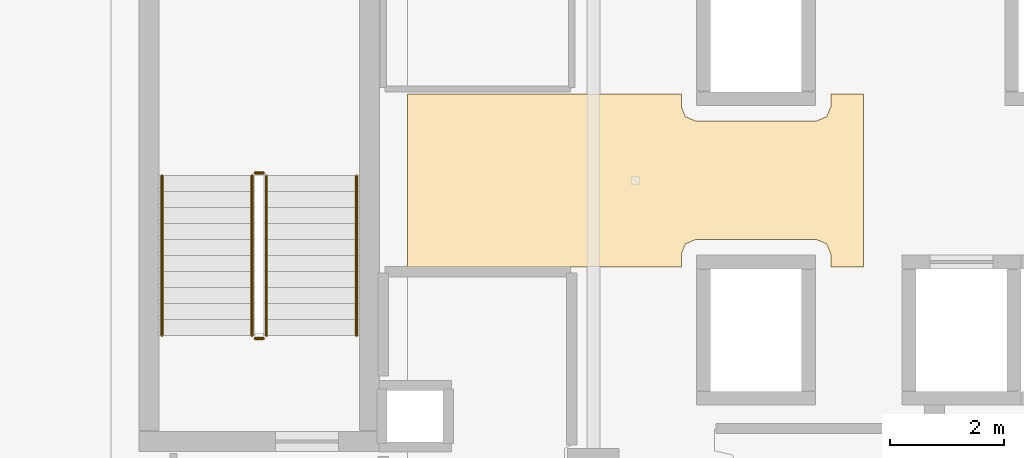
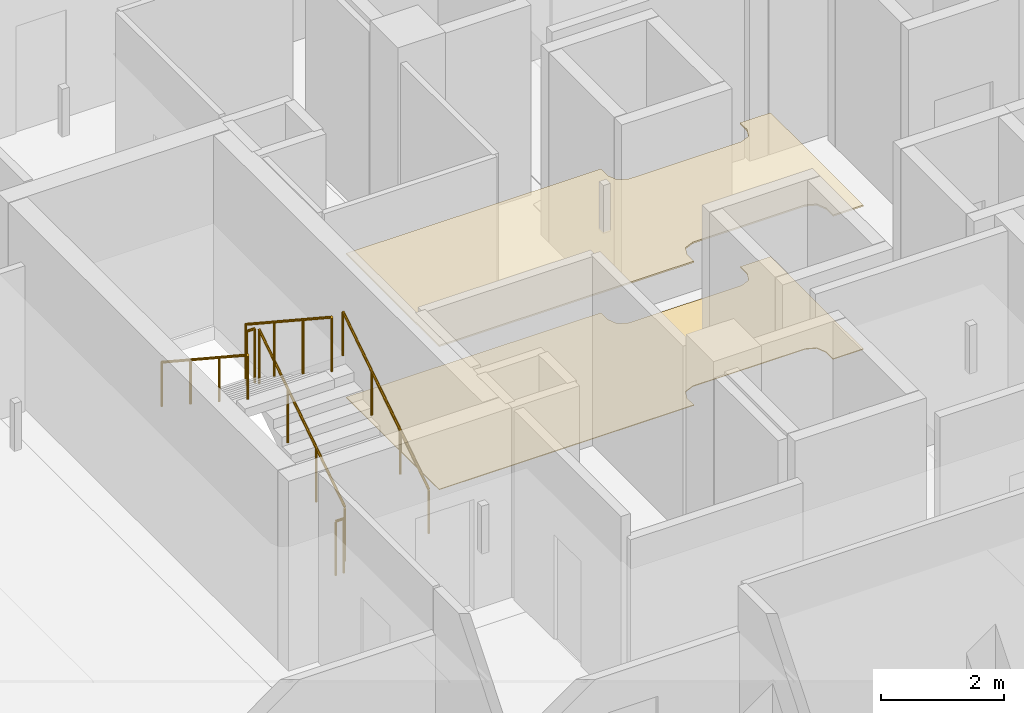
# One storey, part 32 of 36: 6 railings, 2 coverings.
"""IFC4 building model written with IfcOpenShell, lengths in metres."""

import ifcopenshell
import ifcopenshell.guid

model = None  # the IFC model being written
_history = None  # IfcOwnerHistory: only IFC2X3 demands one
_inside = {}  # id of a spatial element -> (the spatial element, [elements in it])
_under = {}  # id of a project, library or spatial element -> (it, [spatial elements below it])
_declared = {}  # id of a project -> (the project, [libraries it declares])
_typed = {}  # id of a type object -> (the type object, [elements of that type])
_made_of = {}  # id of a material, layer set ... -> (it, [elements and type objects made of it])


def new_model(schema):
    """Start an empty IFC model of exactly this schema.

    Asked for "IFC4X3", IfcOpenShell would pick the latest addendum, in which some entities
    have other attributes; the version numbers below select the first issue.
    IFC2X3 requires an IfcOwnerHistory on every rooted entity: one is made here for all.
    """
    global model, _history
    if schema == "IFC4X3":
        model = ifcopenshell.file(schema_version=(4, 3, 0, 0))
    else:
        model = ifcopenshell.file(schema=schema)
    _inside.clear()
    _under.clear()
    _declared.clear()
    _typed.clear()
    _made_of.clear()
    _history = None
    if model.schema == "IFC2X3":
        org = make("IfcOrganization", Name="unknown")
        user = make(
            "IfcPersonAndOrganization",
            ThePerson=make("IfcPerson", FamilyName="unknown"),
            TheOrganization=org,
        )
        app = make(
            "IfcApplication",
            ApplicationDeveloper=org,
            Version="unknown",
            ApplicationFullName="unknown",
            ApplicationIdentifier="unknown",
        )
        _history = make(
            "IfcOwnerHistory",
            OwningUser=user,
            OwningApplication=app,
            ChangeAction="ADDED",
            CreationDate=0,
        )
    return model


def make(cls, **values):
    """One entity of the class cls with the attributes given. An attribute that is None is left unset."""
    return model.create_entity(
        cls, **{name: value for name, value in values.items() if value is not None}
    )


def rooted(cls, **values):
    """An entity with a GlobalId (a new one), such as an element, a storey or a relation."""
    return make(cls, GlobalId=ifcopenshell.guid.new(), OwnerHistory=_history, **values)


def si_unit(unit_type, name, prefix=None):
    """IfcSIUnit, for example si_unit("LENGTHUNIT", "METRE", prefix="MILLI")."""
    return make("IfcSIUnit", UnitType=unit_type, Prefix=prefix, Name=name)


def assignment(units):
    """IfcUnitAssignment: the units of a project."""
    return None if units is None else make("IfcUnitAssignment", Units=units)


def point(xyz):
    """IfcCartesianPoint."""
    return None if xyz is None else make("IfcCartesianPoint", Coordinates=xyz)


def direction(xyz):
    """IfcDirection."""
    return None if xyz is None else make("IfcDirection", DirectionRatios=xyz)


def frame(location, z_axis=None, x_axis=None):
    """IfcAxis2Placement3D, a coordinate frame: its origin and axes. An axis left out is left unset."""
    return make(
        "IfcAxis2Placement3D",
        Location=point(location),
        Axis=direction(z_axis),
        RefDirection=direction(x_axis),
    )


def frame_2d(location, x_axis=None):
    """IfcAxis2Placement2D, a coordinate frame in the plane: its origin and x axis."""
    return make(
        "IfcAxis2Placement2D", Location=point(location), RefDirection=direction(x_axis)
    )


def origin():
    """The frame at (0, 0, 0) with its axes left unset."""
    return frame((0.0, 0.0, 0.0))


def origin_2d():
    """The frame at (0, 0) in the plane with its x axis left unset."""
    return frame_2d((0.0, 0.0))


def place(relative_to, where):
    """IfcLocalPlacement: puts the frame where relative to a parent placement (None: the world)."""
    return make(
        "IfcLocalPlacement", PlacementRelTo=relative_to, RelativePlacement=where
    )


def context(
    kind, dimensions, precision=None, world=None, true_north=None, identifier=None
):
    """IfcGeometricRepresentationContext, for example the 3D "Model" context."""
    return make(
        "IfcGeometricRepresentationContext",
        ContextIdentifier=identifier,
        ContextType=kind,
        CoordinateSpaceDimension=dimensions,
        Precision=precision,
        WorldCoordinateSystem=world,
        TrueNorth=true_north,
    )


def subcontext(parent, identifier, kind, view, scale=None):
    """IfcGeometricRepresentationSubContext, for example "Body" below "Model"."""
    return make(
        "IfcGeometricRepresentationSubContext",
        ContextIdentifier=identifier,
        ContextType=kind,
        ParentContext=parent,
        TargetScale=scale,
        TargetView=view,
    )


def project(units=None, contexts=None):
    """IfcProject with its units and contexts."""
    return rooted(
        "IfcProject",
        Name="project",
        RepresentationContexts=contexts,
        UnitsInContext=assignment(units),
    )


def spatial(cls, under=None, at=None, **own):
    """A site, building, storey or space (cls), placed at a placement, below another one or the project."""
    s = rooted(cls, ObjectPlacement=at, **own)
    if under is not None:
        _under.setdefault(under.id(), (under, []))[1].append(s)
    return s


def polyline(points):
    """IfcPolyline through the points."""
    return make("IfcPolyline", Points=[point(p) for p in points])


def profile(cls, at=None, kind="AREA", **sizes):
    """A parametric profile (cls). Its sizes go by their IFC names, for example OverallWidth=200.0."""
    return make(cls, ProfileType=kind, Position=at, **sizes)


def circle(**sizes):
    """IfcCircleProfileDef."""
    return profile("IfcCircleProfileDef", **sizes)


def outline(outer, holes=None, kind="AREA"):
    """IfcArbitraryClosedProfileDef: a profile drawn as a closed curve; with holes, ...WithVoids."""
    if holes is None:
        return make("IfcArbitraryClosedProfileDef", ProfileType=kind, OuterCurve=outer)
    return make(
        "IfcArbitraryProfileDefWithVoids",
        ProfileType=kind,
        OuterCurve=outer,
        InnerCurves=holes,
    )


def extrude(swept, where, along, depth):
    """IfcExtrudedAreaSolid: the profile swept, set in the frame where, extruded along a direction by depth."""
    return make(
        "IfcExtrudedAreaSolid",
        SweptArea=swept,
        Position=where,
        ExtrudedDirection=direction(along),
        Depth=depth,
    )


def shape(context_of_items, identifier, shape_type, items):
    """IfcShapeRepresentation: the items that make up one representation, for example the "Body"."""
    return make(
        "IfcShapeRepresentation",
        ContextOfItems=context_of_items,
        RepresentationIdentifier=identifier,
        RepresentationType=shape_type,
        Items=items,
    )


def material(Name=None, Category=None):
    """IfcMaterial."""
    return make("IfcMaterial", Name=Name, Category=Category)


def layer(
    of_material, thickness, ventilated=None, Name=None, Category=None, Priority=None
):
    """IfcMaterialLayer: one layer of a wall or slab, of a material (None: an air gap)."""
    return make(
        "IfcMaterialLayer",
        Material=of_material,
        LayerThickness=thickness,
        IsVentilated=ventilated,
        Name=Name,
        Category=Category,
        Priority=Priority,
    )


def layer_set(layers, Name=None):
    """IfcMaterialLayerSet."""
    return make("IfcMaterialLayerSet", MaterialLayers=layers, LayerSetName=Name)


def made_of(thing, what):
    """Note that an element or type object is made of a material, layer set ...; save() writes the relation."""
    if what is not None:
        _made_of.setdefault(what.id(), (what, []))[1].append(thing)
    return thing


def type_object(cls, material=None, **own):
    """A type object (cls), such as IfcWallType, which elements share."""
    return made_of(rooted(cls, **own), material)


def element(
    cls,
    number,
    at=None,
    inside=None,
    cuts=None,
    type_object=None,
    material=None,
    context=None,
    identifier="Body",
    shape_type=None,
    held_by="IfcProductDefinitionShape",
    body=None,
    shapes=None,
    **own,
):
    """One element of the class cls, such as IfcWall. Its Tag is "e" and its number.

    at: its placement. inside: the storey or other place that contains it. cuts: it is an
    opening in that element (IfcRelVoidsElement). A single representation is given by context,
    identifier, shape_type and body (its items); several are given by shapes. held_by: the class
    of the entity that holds the representations. save() writes the other relations.
    """
    e = rooted(cls, Tag="e%d" % number, ObjectPlacement=at, **own)
    if body is not None:
        shapes = [shape(context, identifier, shape_type, body)]
    if shapes is not None:
        e.Representation = make(held_by, Representations=shapes)
    if inside is not None:
        _inside.setdefault(inside.id(), (inside, []))[1].append(e)
    if cuts is not None:
        rooted(
            "IfcRelVoidsElement", RelatingBuildingElement=cuts, RelatedOpeningElement=e
        )
    if type_object is not None:
        _typed.setdefault(type_object.id(), (type_object, []))[1].append(e)
    return made_of(e, material)


def aggregate(whole, parts):
    """IfcRelAggregates: a whole, such as a stair, and the parts it consists of."""
    return rooted("IfcRelAggregates", RelatingObject=whole, RelatedObjects=parts)


def save(model, path):
    """Write the relations noted so far, then the file.

    IfcRelAggregates (storeys below a building ...), IfcRelContainedInSpatialStructure (elements
    in a storey), IfcRelDefinesByType, IfcRelAssociatesMaterial and IfcRelDeclares: one each for
    every whole, place, type object, material and project.
    """
    for whole, parts in _under.values():
        aggregate(whole, parts)
    for where, things in _inside.values():
        rooted(
            "IfcRelContainedInSpatialStructure",
            RelatedElements=things,
            RelatingStructure=where,
        )
    for kind, things in _typed.values():
        rooted("IfcRelDefinesByType", RelatedObjects=things, RelatingType=kind)
    for what, things in _made_of.values():
        rooted("IfcRelAssociatesMaterial", RelatedObjects=things, RelatingMaterial=what)
    for by, libraries in _declared.values():
        rooted("IfcRelDeclares", RelatingContext=by, RelatedDefinitions=libraries)
    model.write(path)


model = new_model("IFC4")

# Units and contexts
model_context = context("Model", 3, precision=1e-05, world=origin(), true_north=direction((0.0, 1.0)))
body_context = subcontext(model_context, "Body", "Model", "MODEL_VIEW")
ifc_project = project(units=[si_unit("LENGTHUNIT", "METRE"), si_unit("AREAUNIT", "SQUARE_METRE"), si_unit("VOLUMEUNIT", "CUBIC_METRE"), si_unit("PLANEANGLEUNIT", "RADIAN"), si_unit("MASSUNIT", "GRAM", prefix="KILO")], contexts=[model_context])

# Site, building, storey
site_placement = place(None, origin())
site = spatial("IfcSite", under=ifc_project, at=site_placement, CompositionType="ELEMENT")
building_placement = place(site_placement, origin())
building = spatial("IfcBuilding", under=site, at=building_placement, Name="Qorvath Tower", CompositionType="ELEMENT")
storey_placement = place(building_placement, frame((0.0, 0.0, 205.050048828125)))
storey = spatial("IfcBuildingStorey", under=building, at=storey_placement, Name="L47", CompositionType="ELEMENT", Elevation=205.050048828125)

# Coverings
ifc_material_1 = material(Name="Acoustic mineral fibre ceiling tile", Category="gypsum")
ifc_layer_1 = layer(ifc_material_1, 0.030029296875)
ifc_layer_set_1 = layer_set([ifc_layer_1], Name="COV-CEIL")
covering_type_1 = type_object("IfcCoveringType", Name="COV-CEIL", PredefinedType="CEILING", material=ifc_layer_set_1)
covering_1_placement = place(storey_placement, frame((0.0, 0.0, 2.849853515625)))
element("IfcCovering", 1, at=covering_1_placement, inside=storey, type_object=covering_type_1, Name="L47 Suspended Acoustic Ceiling 009", PredefinedType="CEILING", context=body_context, shape_type="SweptSolid", body=[
    extrude(outline(polyline([(-25.76806640625, -1.514892578125), (-25.76806640625, 1.514892578125), (-26.340087890625, 1.514892578125), (-26.340087890625, 1.2900390625), (-26.413330078125, 1.11328125), (-26.590087890625, 1.0400390625), (-28.7099609375, 1.0400390625), (-28.88671875, 1.11328125), (-28.9599609375, 1.2900390625), (-28.9599609375, 1.514892578125), (-33.760009765625, 1.514892578125), (-33.760009765625, -1.514892578125), (-28.9599609375, -1.514892578125), (-28.9599609375, -1.2900390625), (-28.88671875, -1.11328125), (-28.7099609375, -1.0400390625), (-26.590087890625, -1.0400390625), (-26.413330078125, -1.11328125), (-26.340087890625, -1.2900390625), (-26.340087890625, -1.514892578125), (-25.76806640625, -1.514892578125)])), origin(), (0.0, 0.0, 1.0), 0.030029296875),
])
ifc_material_2 = material(Name="Polished epoxy terrazzo flooring", Category="concrete")
ifc_layer_2 = layer(ifc_material_2, 0.02001953125)
ifc_layer_set_2 = layer_set([ifc_layer_2], Name="COV-FLOOR-TRZ")
covering_type_2 = type_object("IfcCoveringType", Name="COV-FLOOR-TRZ", PredefinedType="FLOORING", material=ifc_layer_set_2)
covering_2_placement = place(storey_placement, origin())
element("IfcCovering", 2, at=covering_2_placement, inside=storey, type_object=covering_type_2, Name="L47 Floor Finish 009", PredefinedType="FLOORING", context=body_context, shape_type="SweptSolid", body=[
    extrude(outline(polyline([(-25.76806640625, -1.514892578125), (-25.76806640625, 1.514892578125), (-26.340087890625, 1.514892578125), (-26.340087890625, 1.2900390625), (-26.413330078125, 1.11328125), (-26.590087890625, 1.0400390625), (-28.7099609375, 1.0400390625), (-28.88671875, 1.11328125), (-28.9599609375, 1.2900390625), (-28.9599609375, 1.514892578125), (-33.760009765625, 1.514892578125), (-33.760009765625, -1.514892578125), (-28.9599609375, -1.514892578125), (-28.9599609375, -1.2900390625), (-28.88671875, -1.11328125), (-28.7099609375, -1.0400390625), (-26.590087890625, -1.0400390625), (-26.413330078125, -1.11328125), (-26.340087890625, -1.2900390625), (-26.340087890625, -1.514892578125), (-25.76806640625, -1.514892578125)])), origin(), (0.0, 0.0, 1.0), 0.014892578125),
])

# Railings
ifc_material_3 = material(Name="Painted galvanised steel", Category="steel")
railing_type_1 = type_object("IfcRailingType", Name="RL-STR-GRD", PredefinedType="GUARDRAIL", material=ifc_material_3)
railing_1_placement = place(storey_placement, frame((-36.22998046875, -2.719970703125, 0.18408203125)))
element("IfcRailing", 3, at=railing_1_placement, inside=storey, type_object=railing_type_1, Name="L47 TS3 stair guard 1", PredefinedType="GUARDRAIL", context=body_context, shape_type="SweptSolid", body=[
    extrude(circle(Radius=0.02392578125, at=origin_2d()), frame((0.0, 0.0, 1.076171875), z_axis=(0.0, 0.835597507184, 0.549342157483), x_axis=(-1.0, 0.0, 0.0)), (0.0, 0.0, 1.0), 3.35107421875),
    extrude(circle(Radius=0.02099609375, at=origin_2d()), origin(), (0.0, 0.0, 1.0), 1.052001953125),
    extrude(circle(Radius=0.02099609375, at=origin_2d()), frame((0.0, 0.933349609375, 0.613525390625)), (0.0, 0.0, 1.0), 1.052001953125),
    extrude(circle(Radius=0.02099609375, at=origin_2d()), frame((0.0, 1.86669921875, 1.227294921875)), (0.0, 0.0, 1.0), 1.052001953125),
    extrude(circle(Radius=0.02099609375, at=origin_2d()), frame((0.0, 2.800048828125, 1.8408203125)), (0.0, 0.0, 1.0), 1.052001953125),
])
railing_2_placement = place(storey_placement, frame((-36.280029296875, 0.1298828125, 2.02490234375)))
element("IfcRailing", 4, at=railing_2_placement, inside=storey, type_object=railing_type_1, Name="L47 TS3 stair guard 2", PredefinedType="GUARDRAIL", context=body_context, shape_type="SweptSolid", body=[
    extrude(circle(Radius=0.02392578125, at=origin_2d()), frame((0.0, 0.0, 1.076171875), z_axis=(-1.0, 0.0, 0.0), x_axis=(0.0, -1.0, 0.0)), (0.0, 0.0, 1.0), 0.14990234375),
    extrude(circle(Radius=0.02099609375, at=origin_2d()), origin(), (0.0, 0.0, 1.0), 1.052001953125),
    extrude(circle(Radius=0.02099609375, at=origin_2d()), frame((-0.14990234375, 0.0, 0.0)), (0.0, 0.0, 1.0), 1.052001953125),
])
railing_3_placement = place(storey_placement, frame((-36.47998046875, 0.080078125, 2.208984375)))
element("IfcRailing", 5, at=railing_3_placement, inside=storey, type_object=railing_type_1, Name="L47 TS3 stair guard 3", PredefinedType="GUARDRAIL", context=body_context, shape_type="SweptSolid", body=[
    extrude(circle(Radius=0.02392578125, at=origin_2d()), frame((0.0, 0.0, 1.076171875), z_axis=(0.0, -0.83556406348, 0.549393024911), x_axis=(1.0, 0.0, 0.0)), (0.0, 0.0, 1.0), 3.35107421875),
    extrude(circle(Radius=0.02099609375, at=origin_2d()), origin(), (0.0, 0.0, 1.0), 1.052001953125),
    extrude(circle(Radius=0.02099609375, at=origin_2d()), frame((0.0, -0.933349609375, 0.61376953125)), (0.0, 0.0, 1.0), 1.052001953125),
    extrude(circle(Radius=0.02099609375, at=origin_2d()), frame((0.0, -1.86669921875, 1.227294921875)), (0.0, 0.0, 1.0), 1.052001953125),
    extrude(circle(Radius=0.02099609375, at=origin_2d()), frame((0.0, -2.800048828125, 1.841064453125)), (0.0, 0.0, 1.0), 1.052001953125),
])
railing_4_placement = place(storey_placement, frame((-36.280029296875, -2.77001953125, 0.0)))
element("IfcRailing", 6, at=railing_4_placement, inside=storey, type_object=railing_type_1, Name="L47 TS3 stair guard 4", PredefinedType="GUARDRAIL", context=body_context, shape_type="SweptSolid", body=[
    extrude(circle(Radius=0.02392578125, at=origin_2d()), frame((0.0, 0.0, 1.076171875), z_axis=(-1.0, 0.0, 0.0), x_axis=(0.0, -1.0, 0.0)), (0.0, 0.0, 1.0), 0.14990234375),
    extrude(circle(Radius=0.02099609375, at=origin_2d()), origin(), (0.0, 0.0, 1.0), 1.052001953125),
    extrude(circle(Radius=0.02099609375, at=origin_2d()), frame((-0.14990234375, 0.0, 0.0)), (0.0, 0.0, 1.0), 1.052001953125),
])
ifc_material_4 = material(Name="Brushed stainless steel AISI 304", Category="steel")
railing_type_2 = type_object("IfcRailingType", Name="RL-STR-HND", PredefinedType="HANDRAIL", material=ifc_material_4)
railing_5_placement = place(storey_placement, frame((-34.64990234375, -2.719970703125, 0.18408203125)))
element("IfcRailing", 7, at=railing_5_placement, inside=storey, type_object=railing_type_2, Name="L47 TS3 stair handrail 1", PredefinedType="HANDRAIL", context=body_context, shape_type="SweptSolid", body=[
    extrude(circle(Radius=0.02392578125, at=origin_2d()), frame((0.0, 0.0, 0.8759765625), z_axis=(0.0, 0.835597507184, 0.549342157483), x_axis=(-1.0, 0.0, 0.0)), (0.0, 0.0, 1.0), 3.35107421875),
    extrude(circle(Radius=0.02099609375, at=origin_2d()), origin(), (0.0, 0.0, 1.0), 0.851806640625),
    extrude(circle(Radius=0.02099609375, at=origin_2d()), frame((0.0, 0.933349609375, 0.613525390625)), (0.0, 0.0, 1.0), 0.851806640625),
    extrude(circle(Radius=0.02099609375, at=origin_2d()), frame((0.0, 1.86669921875, 1.227294921875)), (0.0, 0.0, 1.0), 0.851806640625),
    extrude(circle(Radius=0.02099609375, at=origin_2d()), frame((0.0, 2.800048828125, 1.8408203125)), (0.0, 0.0, 1.0), 0.851806640625),
])
railing_6_placement = place(storey_placement, frame((-38.06005859375, 0.080078125, 2.208984375)))
element("IfcRailing", 8, at=railing_6_placement, inside=storey, type_object=railing_type_2, Name="L47 TS3 stair handrail 2", PredefinedType="HANDRAIL", context=body_context, shape_type="SweptSolid", body=[
    extrude(circle(Radius=0.02392578125, at=origin_2d()), frame((0.0, 0.0, 0.8759765625), z_axis=(0.0, -0.83556406348, 0.549393024911), x_axis=(1.0, 0.0, 0.0)), (0.0, 0.0, 1.0), 3.35107421875),
    extrude(circle(Radius=0.02099609375, at=origin_2d()), origin(), (0.0, 0.0, 1.0), 0.851806640625),
    extrude(circle(Radius=0.02099609375, at=origin_2d()), frame((0.0, -0.933349609375, 0.61376953125)), (0.0, 0.0, 1.0), 0.851806640625),
    extrude(circle(Radius=0.02099609375, at=origin_2d()), frame((0.0, -1.86669921875, 1.227294921875)), (0.0, 0.0, 1.0), 0.851806640625),
    extrude(circle(Radius=0.02099609375, at=origin_2d()), frame((0.0, -2.800048828125, 1.841064453125)), (0.0, 0.0, 1.0), 0.851806640625),
])

save(model, "model.ifc")
